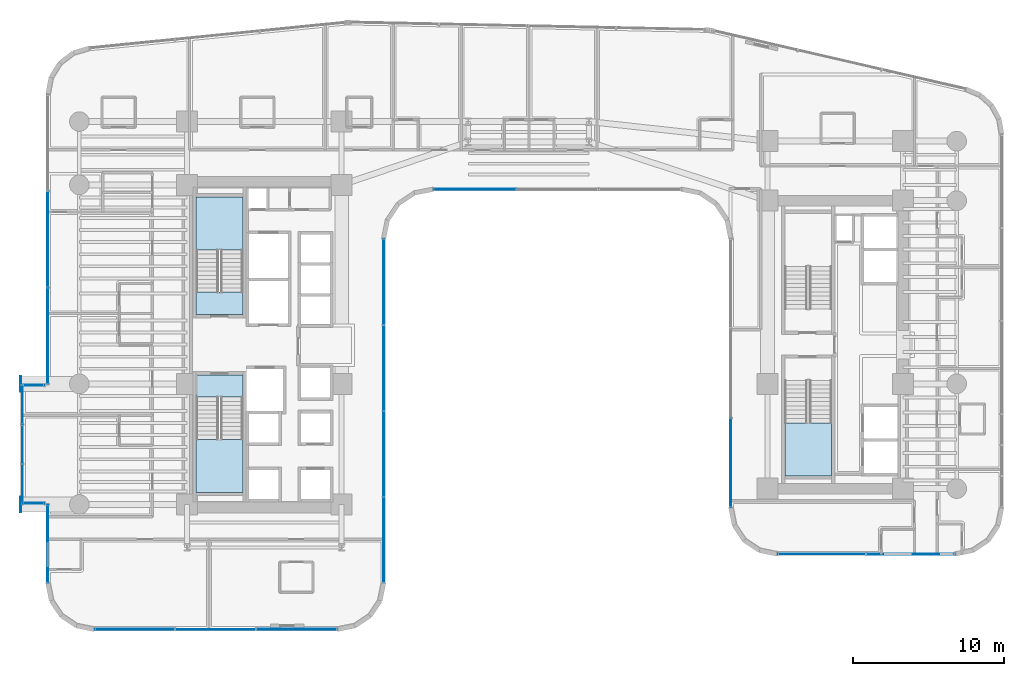
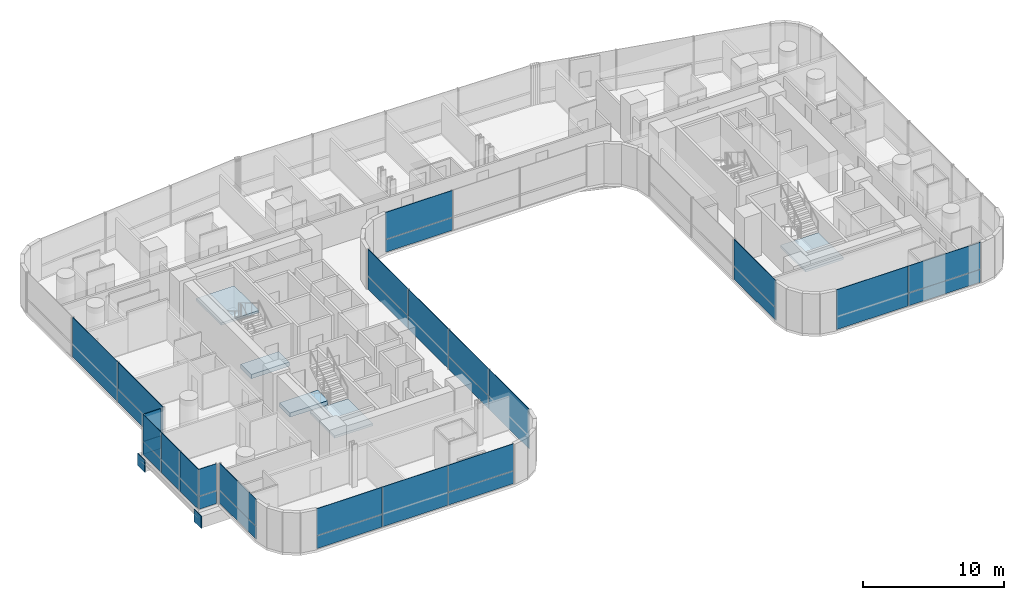
# One storey, part 28 of 42: 34 plates, 5 slabs, 13 elements without a shape of their own.
"""IFC4 building model written with IfcOpenShell, lengths in metres."""

import ifcopenshell
import ifcopenshell.guid

model = None  # the IFC model being written
_history = None  # IfcOwnerHistory: only IFC2X3 demands one
_inside = {}  # id of a spatial element -> (the spatial element, [elements in it])
_under = {}  # id of a project, library or spatial element -> (it, [spatial elements below it])
_declared = {}  # id of a project -> (the project, [libraries it declares])
_typed = {}  # id of a type object -> (the type object, [elements of that type])
_made_of = {}  # id of a material, layer set ... -> (it, [elements and type objects made of it])


def new_model(schema):
    """Start an empty IFC model of exactly this schema.

    Asked for "IFC4X3", IfcOpenShell would pick the latest addendum, in which some entities
    have other attributes; the version numbers below select the first issue.
    IFC2X3 requires an IfcOwnerHistory on every rooted entity: one is made here for all.
    """
    global model, _history
    if schema == "IFC4X3":
        model = ifcopenshell.file(schema_version=(4, 3, 0, 0))
    else:
        model = ifcopenshell.file(schema=schema)
    _inside.clear()
    _under.clear()
    _declared.clear()
    _typed.clear()
    _made_of.clear()
    _history = None
    if model.schema == "IFC2X3":
        org = make("IfcOrganization", Name="unknown")
        user = make(
            "IfcPersonAndOrganization",
            ThePerson=make("IfcPerson", FamilyName="unknown"),
            TheOrganization=org,
        )
        app = make(
            "IfcApplication",
            ApplicationDeveloper=org,
            Version="unknown",
            ApplicationFullName="unknown",
            ApplicationIdentifier="unknown",
        )
        _history = make(
            "IfcOwnerHistory",
            OwningUser=user,
            OwningApplication=app,
            ChangeAction="ADDED",
            CreationDate=0,
        )
    return model


def make(cls, **values):
    """One entity of the class cls with the attributes given. An attribute that is None is left unset."""
    return model.create_entity(
        cls, **{name: value for name, value in values.items() if value is not None}
    )


def rooted(cls, **values):
    """An entity with a GlobalId (a new one), such as an element, a storey or a relation."""
    return make(cls, GlobalId=ifcopenshell.guid.new(), OwnerHistory=_history, **values)


def si_unit(unit_type, name, prefix=None):
    """IfcSIUnit, for example si_unit("LENGTHUNIT", "METRE", prefix="MILLI")."""
    return make("IfcSIUnit", UnitType=unit_type, Prefix=prefix, Name=name)


def assignment(units):
    """IfcUnitAssignment: the units of a project."""
    return None if units is None else make("IfcUnitAssignment", Units=units)


def point(xyz):
    """IfcCartesianPoint."""
    return None if xyz is None else make("IfcCartesianPoint", Coordinates=xyz)


def direction(xyz):
    """IfcDirection."""
    return None if xyz is None else make("IfcDirection", DirectionRatios=xyz)


def frame(location, z_axis=None, x_axis=None):
    """IfcAxis2Placement3D, a coordinate frame: its origin and axes. An axis left out is left unset."""
    return make(
        "IfcAxis2Placement3D",
        Location=point(location),
        Axis=direction(z_axis),
        RefDirection=direction(x_axis),
    )


def frame_2d(location, x_axis=None):
    """IfcAxis2Placement2D, a coordinate frame in the plane: its origin and x axis."""
    return make(
        "IfcAxis2Placement2D", Location=point(location), RefDirection=direction(x_axis)
    )


def origin():
    """The frame at (0, 0, 0) with its axes left unset."""
    return frame((0.0, 0.0, 0.0))


def origin_2d():
    """The frame at (0, 0) in the plane with its x axis left unset."""
    return frame_2d((0.0, 0.0))


def place(relative_to, where):
    """IfcLocalPlacement: puts the frame where relative to a parent placement (None: the world)."""
    return make(
        "IfcLocalPlacement", PlacementRelTo=relative_to, RelativePlacement=where
    )


def context(
    kind, dimensions, precision=None, world=None, true_north=None, identifier=None
):
    """IfcGeometricRepresentationContext, for example the 3D "Model" context."""
    return make(
        "IfcGeometricRepresentationContext",
        ContextIdentifier=identifier,
        ContextType=kind,
        CoordinateSpaceDimension=dimensions,
        Precision=precision,
        WorldCoordinateSystem=world,
        TrueNorth=true_north,
    )


def subcontext(parent, identifier, kind, view, scale=None):
    """IfcGeometricRepresentationSubContext, for example "Body" below "Model"."""
    return make(
        "IfcGeometricRepresentationSubContext",
        ContextIdentifier=identifier,
        ContextType=kind,
        ParentContext=parent,
        TargetScale=scale,
        TargetView=view,
    )


def project(units=None, contexts=None):
    """IfcProject with its units and contexts."""
    return rooted(
        "IfcProject",
        Name="project",
        RepresentationContexts=contexts,
        UnitsInContext=assignment(units),
    )


def spatial(cls, under=None, at=None, **own):
    """A site, building, storey or space (cls), placed at a placement, below another one or the project."""
    s = rooted(cls, ObjectPlacement=at, **own)
    if under is not None:
        _under.setdefault(under.id(), (under, []))[1].append(s)
    return s


def polyline(points):
    """IfcPolyline through the points."""
    return make("IfcPolyline", Points=[point(p) for p in points])


def profile(cls, at=None, kind="AREA", **sizes):
    """A parametric profile (cls). Its sizes go by their IFC names, for example OverallWidth=200.0."""
    return make(cls, ProfileType=kind, Position=at, **sizes)


def rectangle(**sizes):
    """IfcRectangleProfileDef."""
    return profile("IfcRectangleProfileDef", **sizes)


def outline(outer, holes=None, kind="AREA"):
    """IfcArbitraryClosedProfileDef: a profile drawn as a closed curve; with holes, ...WithVoids."""
    if holes is None:
        return make("IfcArbitraryClosedProfileDef", ProfileType=kind, OuterCurve=outer)
    return make(
        "IfcArbitraryProfileDefWithVoids",
        ProfileType=kind,
        OuterCurve=outer,
        InnerCurves=holes,
    )


def extrude(swept, where, along, depth):
    """IfcExtrudedAreaSolid: the profile swept, set in the frame where, extruded along a direction by depth."""
    return make(
        "IfcExtrudedAreaSolid",
        SweptArea=swept,
        Position=where,
        ExtrudedDirection=direction(along),
        Depth=depth,
    )


def shape(context_of_items, identifier, shape_type, items):
    """IfcShapeRepresentation: the items that make up one representation, for example the "Body"."""
    return make(
        "IfcShapeRepresentation",
        ContextOfItems=context_of_items,
        RepresentationIdentifier=identifier,
        RepresentationType=shape_type,
        Items=items,
    )


def source(mapping_origin, context_of_items, identifier, shape_type, items):
    """IfcRepresentationMap: a shape defined once, which mapped items show again and again."""
    return make(
        "IfcRepresentationMap",
        MappingOrigin=mapping_origin,
        MappedRepresentation=shape(context_of_items, identifier, shape_type, items),
    )


def transform(
    local_origin,
    x_axis=None,
    y_axis=None,
    z_axis=None,
    scale=None,
    scale2=None,
    scale3=None,
    uniform=True,
):
    """IfcCartesianTransformationOperator3D, or its non-uniform kind. x_axis, y_axis, z_axis: its Axis1, 2, 3."""
    if uniform:
        return make(
            "IfcCartesianTransformationOperator3D",
            Axis1=direction(x_axis),
            Axis2=direction(y_axis),
            LocalOrigin=point(local_origin),
            Scale=scale,
            Axis3=direction(z_axis),
        )
    return make(
        "IfcCartesianTransformationOperator3DnonUniform",
        Axis1=direction(x_axis),
        Axis2=direction(y_axis),
        LocalOrigin=point(local_origin),
        Scale=scale,
        Axis3=direction(z_axis),
        Scale2=scale2,
        Scale3=scale3,
    )


def mapped(mapping_source, mapping_target):
    """IfcMappedItem: shows the shape of a source again, moved by a transform."""
    return make(
        "IfcMappedItem", MappingSource=mapping_source, MappingTarget=mapping_target
    )


def material(Name=None, Category=None):
    """IfcMaterial."""
    return make("IfcMaterial", Name=Name, Category=Category)


def layer(
    of_material, thickness, ventilated=None, Name=None, Category=None, Priority=None
):
    """IfcMaterialLayer: one layer of a wall or slab, of a material (None: an air gap)."""
    return make(
        "IfcMaterialLayer",
        Material=of_material,
        LayerThickness=thickness,
        IsVentilated=ventilated,
        Name=Name,
        Category=Category,
        Priority=Priority,
    )


def layer_set(layers, Name=None):
    """IfcMaterialLayerSet."""
    return make("IfcMaterialLayerSet", MaterialLayers=layers, LayerSetName=Name)


def made_of(thing, what):
    """Note that an element or type object is made of a material, layer set ...; save() writes the relation."""
    if what is not None:
        _made_of.setdefault(what.id(), (what, []))[1].append(thing)
    return thing


def type_object(cls, material=None, **own):
    """A type object (cls), such as IfcWallType, which elements share."""
    return made_of(rooted(cls, **own), material)


def element(
    cls,
    number,
    at=None,
    inside=None,
    cuts=None,
    type_object=None,
    material=None,
    context=None,
    identifier="Body",
    shape_type=None,
    held_by="IfcProductDefinitionShape",
    body=None,
    shapes=None,
    **own,
):
    """One element of the class cls, such as IfcWall. Its Tag is "e" and its number.

    at: its placement. inside: the storey or other place that contains it. cuts: it is an
    opening in that element (IfcRelVoidsElement). A single representation is given by context,
    identifier, shape_type and body (its items); several are given by shapes. held_by: the class
    of the entity that holds the representations. save() writes the other relations.
    """
    e = rooted(cls, Tag="e%d" % number, ObjectPlacement=at, **own)
    if body is not None:
        shapes = [shape(context, identifier, shape_type, body)]
    if shapes is not None:
        e.Representation = make(held_by, Representations=shapes)
    if inside is not None:
        _inside.setdefault(inside.id(), (inside, []))[1].append(e)
    if cuts is not None:
        rooted(
            "IfcRelVoidsElement", RelatingBuildingElement=cuts, RelatedOpeningElement=e
        )
    if type_object is not None:
        _typed.setdefault(type_object.id(), (type_object, []))[1].append(e)
    return made_of(e, material)


def aggregate(whole, parts):
    """IfcRelAggregates: a whole, such as a stair, and the parts it consists of."""
    return rooted("IfcRelAggregates", RelatingObject=whole, RelatedObjects=parts)


def save(model, path):
    """Write the relations noted so far, then the file.

    IfcRelAggregates (storeys below a building ...), IfcRelContainedInSpatialStructure (elements
    in a storey), IfcRelDefinesByType, IfcRelAssociatesMaterial and IfcRelDeclares: one each for
    every whole, place, type object, material and project.
    """
    for whole, parts in _under.values():
        aggregate(whole, parts)
    for where, things in _inside.values():
        rooted(
            "IfcRelContainedInSpatialStructure",
            RelatedElements=things,
            RelatingStructure=where,
        )
    for kind, things in _typed.values():
        rooted("IfcRelDefinesByType", RelatedObjects=things, RelatingType=kind)
    for what, things in _made_of.values():
        rooted("IfcRelAssociatesMaterial", RelatedObjects=things, RelatingMaterial=what)
    for by, libraries in _declared.values():
        rooted("IfcRelDeclares", RelatingContext=by, RelatedDefinitions=libraries)
    model.write(path)


model = new_model("IFC4")

# Units and contexts
model_context = context("Model", 3, precision=1e-05, world=origin(), true_north=direction((0.0, 1.0)))
body_context = subcontext(model_context, "Body", "Model", "MODEL_VIEW")
ifc_project = project(units=[si_unit("LENGTHUNIT", "METRE"), si_unit("AREAUNIT", "SQUARE_METRE"), si_unit("VOLUMEUNIT", "CUBIC_METRE"), si_unit("PLANEANGLEUNIT", "RADIAN"), si_unit("MASSUNIT", "GRAM", prefix="KILO")], contexts=[model_context])

# Site, building, storey
site_placement = place(None, origin())
site = spatial("IfcSite", under=ifc_project, at=site_placement, CompositionType="ELEMENT")
building_placement = place(site_placement, origin())
building = spatial("IfcBuilding", under=site, at=building_placement, Name="Valdorenza Pilgrim Sanctuary Tower", CompositionType="ELEMENT")
storey_placement = place(building_placement, frame((0.0, 0.0, 29.699951171875)))
storey = spatial("IfcBuildingStorey", under=building, at=storey_placement, Name="L06", CompositionType="ELEMENT", Elevation=29.699951171875)

# Stair, slab
ifc_material_1 = material(Name="Concrete C40/50", Category="concrete")
stair_type = type_object("IfcStairType", Name="STR-DOG-CORE", PredefinedType="HALF_TURN_STAIR", material=ifc_material_1)
stair_1_placement = place(storey_placement, origin())
stair_1 = element("IfcStair", 1, at=stair_1_placement, inside=storey, type_object=stair_type, Name="L06 ST-A1", PredefinedType="HALF_TURN_STAIR")
ifc_layer_1 = layer(ifc_material_1, 0.199951171875, Name="Concrete C40/50")
ifc_layer_set_1 = layer_set([ifc_layer_1], Name="Concrete C40/50")
slab_type_1 = type_object("IfcSlabType", Name="SLAB-STL-200", PredefinedType="LANDING", material=ifc_layer_set_1)
slab_1_placement = place(storey_placement, frame((0.0, 0.0, 1.650146484375)))
slab_1 = element("IfcSlab", 2, at=slab_1_placement, type_object=slab_type_1, Name="ST-A1 landing 1", PredefinedType="LANDING", context=body_context, shape_type="SweptSolid", body=[
    extrude(outline(polyline([(-18.93994140625, 6.280029296875), (-18.93994140625, 9.800048828125), (-22.050048828125, 9.800048828125), (-22.050048828125, 6.280029296875), (-18.93994140625, 6.280029296875)])), origin(), (0.0, 0.0, 1.0), 0.199951171875),
])
aggregate(stair_1, [slab_1])

stair_2_placement = place(storey_placement, origin())
stair_2 = element("IfcStair", 3, at=stair_2_placement, inside=storey, type_object=stair_type, Name="L06 ST-A2", PredefinedType="HALF_TURN_STAIR")
slab_2_placement = place(storey_placement, frame((0.0, 0.0, 1.650146484375)))
slab_2 = element("IfcSlab", 4, at=slab_2_placement, type_object=slab_type_1, Name="ST-A2 landing 1", PredefinedType="LANDING", context=body_context, shape_type="SweptSolid", body=[
    extrude(outline(polyline([(-22.050048828125, -6.280029296875), (-22.050048828125, -9.800048828125), (-18.93994140625, -9.800048828125), (-18.93994140625, -6.280029296875), (-22.050048828125, -6.280029296875)])), origin(), (0.0, 0.0, 1.0), 0.199951171875),
])
aggregate(stair_2, [slab_2])

stair_3_placement = place(storey_placement, origin())
stair_3 = element("IfcStair", 5, at=stair_3_placement, inside=storey, type_object=stair_type, Name="L06 ST-B2", PredefinedType="HALF_TURN_STAIR")
slab_3_placement = place(storey_placement, frame((0.0, 0.0, 1.650146484375)))
slab_3 = element("IfcSlab", 6, at=slab_3_placement, type_object=slab_type_1, Name="ST-B2 landing 1", PredefinedType="LANDING", context=body_context, shape_type="SweptSolid", body=[
    extrude(outline(polyline([(17.0, -5.179931640625), (17.0, -8.699951171875), (20.110107421875, -8.699951171875), (20.110107421875, -5.179931640625), (17.0, -5.179931640625)])), origin(), (0.0, 0.0, 1.0), 0.199951171875),
])
aggregate(stair_3, [slab_3])

# Slabs
ifc_material_2 = material(Name="Concrete C50/60", Category="concrete")
ifc_layer_2 = layer(ifc_material_2, 0.39990234375, Name="Concrete C50/60")
ifc_layer_set_2 = layer_set([ifc_layer_2], Name="Concrete C50/60")
slab_type_2 = type_object("IfcSlabType", Name="SLAB-TRF-400", PredefinedType="FLOOR", material=ifc_layer_set_2)
slab_4_placement = place(storey_placement, frame((0.0, 0.0, -0.35986328125)))
element("IfcSlab", 7, at=slab_4_placement, inside=storey, type_object=slab_type_2, Name="L06 ST-A1 Structural Stair Landing Bearing Slab", PredefinedType="FLOOR", context=body_context, shape_type="SweptSolid", body=[
    extrude(outline(polyline([(-22.050048828125, 2.0), (-18.93994140625, 2.0), (-18.93994140625, 3.485107421875), (-22.050048828125, 3.485107421875), (-22.050048828125, 2.0)])), origin(), (0.0, 0.0, 1.0), 0.35986328125),
])
slab_5_placement = place(storey_placement, frame((0.0, 0.0, -0.35986328125)))
element("IfcSlab", 8, at=slab_5_placement, inside=storey, type_object=slab_type_2, Name="L06 ST-A2 Structural Stair Landing Bearing Slab", PredefinedType="FLOOR", context=body_context, shape_type="SweptSolid", body=[
    extrude(outline(polyline([(-22.050048828125, -3.485107421875), (-18.93994140625, -3.485107421875), (-18.93994140625, -2.0), (-22.050048828125, -2.0), (-22.050048828125, -3.485107421875)])), origin(), (0.0, 0.0, 1.0), 0.35986328125),
])

# Plates
ifc_material_3 = material(Name="Steel ASTM A572 Grade 42", Category="steel")
ifc_layer_3 = layer(ifc_material_3, 0.06005859375, Name="Steel ASTM A572 Grade 42")
ifc_layer_set_3 = layer_set([ifc_layer_3], Name="Steel ASTM A572 Grade 42")
plate_type_1 = type_object("IfcPlateType", Name="PLT-CAP-60", PredefinedType="SHEET", material=ifc_layer_set_3)
shared_shape_1 = source(origin(), body_context, "Body", "SweptSolid", [
    extrude(rectangle(XDim=0.06005859375, YDim=1.0400390625, at=origin_2d()), origin(), (0.0, 0.0, 1.0), 1.0400390625),
])
for number, where, z_axis, x_axis, name in (
    (9, (-33.679931640625, -2.60009765625, -1.260009765625), (0.0, 0.0, 1.0), (1.0, 0.0, 0.0), "L06 BOX-WA-L06 Cantilever Tip End Cap N"),
    (10, (-33.679931640625, -10.60009765625, -1.260009765625), (0.0, 0.0, 1.0), (1.0, 0.0, 0.0), "L06 BOX-WA-L06 Cantilever Tip End Cap S"),
):
    element("IfcPlate", number, at=place(storey_placement, frame(where, z_axis=z_axis, x_axis=x_axis)), inside=storey, type_object=plate_type_1, Name=name, PredefinedType="SHEET", context=body_context, shape_type="MappedRepresentation", body=[
        mapped(shared_shape_1, transform((0.0, 0.0, 0.0), x_axis=(1.0, 0.0, 0.0), y_axis=(0.0, 1.0, 0.0), z_axis=(0.0, 0.0, 1.0), scale=1.0)),
    ])

# Curtain wall, plates
ifc_material_4 = material(Name="Curtain-wall IGU glazing", Category="glass")
curtain_wall_type_1 = type_object("IfcCurtainWallType", Name="CW-SYS-02", PredefinedType="NOTDEFINED", material=ifc_material_4)
curtain_wall_1_placement = place(storey_placement, origin())
curtain_wall_1 = element("IfcCurtainWall", 11, at=curtain_wall_1_placement, inside=storey, type_object=curtain_wall_type_1, Name="L06 Curtain Wall CW-L06-1-1S1", PredefinedType="NOTDEFINED")
ifc_material_5 = material(Name="Honed travertine limestone", Category="masonry")
ifc_layer_4 = layer(ifc_material_5, 0.050048828125, Name="Honed travertine limestone")
ifc_layer_set_4 = layer_set([ifc_layer_4], Name="Honed travertine limestone")
plate_type_2 = type_object("IfcPlateType", Name="CW-SPN-TRV", PredefinedType="USERDEFINED", material=ifc_layer_set_4)
shared_shape_2 = source(origin(), body_context, "Body", "SweptSolid", [
    extrude(rectangle(XDim=5.169189453125, YDim=0.06005859375, at=origin_2d()), origin(), (0.0, 0.0, 1.0), 1.10009765625),
])
plate_1_placement = place(storey_placement, frame((-31.889892578125, -13.194580078125, 0.010009765625), z_axis=(0.0, 0.0, 1.0), x_axis=(0.0, 1.0, 0.0)))
plate_1 = element("IfcPlate", 12, at=plate_1_placement, type_object=plate_type_2, Name="CW-L06-1-1S1 Travertine Spandrel 1", ObjectType="SPANDREL", PredefinedType="USERDEFINED", context=body_context, shape_type="MappedRepresentation", body=[
    mapped(shared_shape_2, transform((0.0, 0.0, 0.0), x_axis=(1.0, 0.0, 0.0), y_axis=(0.0, 1.0, 0.0), z_axis=(0.0, 0.0, 1.0), scale=1.0)),
])
ifc_material_6 = material(Name="Ceramic-fritted low-E IGU glazing", Category="glass")
ifc_layer_5 = layer(ifc_material_6, 0.035888671875, Name="Ceramic-fritted low-E IGU glazing")
ifc_layer_set_5 = layer_set([ifc_layer_5], Name="Ceramic-fritted low-E IGU glazing")
plate_type_3 = type_object("IfcPlateType", Name="CW-GLZ-IGU", PredefinedType="USERDEFINED", material=ifc_layer_set_5)
shared_shape_3 = source(origin(), body_context, "Body", "SweptSolid", [
    extrude(rectangle(XDim=5.169189453125, YDim=0.050048828125, at=origin_2d()), origin(), (0.0, 0.0, 1.0), 2.320068359375),
])
plate_2_placement = place(storey_placement, frame((-31.889892578125, -13.194580078125, 1.1298828125), z_axis=(0.0, 0.0, 1.0), x_axis=(0.0, 1.0, 0.0)))
plate_2 = element("IfcPlate", 13, at=plate_2_placement, type_object=plate_type_3, Name="CW-L06-1-1S1 Facade Panel 1", ObjectType="GLAZING", PredefinedType="USERDEFINED", context=body_context, shape_type="MappedRepresentation", body=[
    mapped(shared_shape_3, transform((0.0, 0.0, 0.0), x_axis=(1.0, 0.0, 0.0), y_axis=(0.0, 1.0, 0.0), z_axis=(0.0, 0.0, 1.0), scale=1.0)),
])
aggregate(curtain_wall_1, [plate_1, plate_2])

curtain_wall_2_placement = place(storey_placement, origin())
curtain_wall_2 = element("IfcCurtainWall", 14, at=curtain_wall_2_placement, inside=storey, type_object=curtain_wall_type_1, Name="L06 Curtain Wall CW-L06-1-1S2", PredefinedType="NOTDEFINED")
shared_shape_4 = source(origin(), body_context, "Body", "SweptSolid", [
    extrude(rectangle(XDim=6.3779296875, YDim=0.06005859375, at=origin_2d()), origin(), (0.0, 0.0, 1.0), 1.10009765625),
])
plate_3_placement = place(storey_placement, frame((-31.889892578125, 0.59912109375, 0.010009765625), z_axis=(0.0, 0.0, 1.0), x_axis=(0.0, 1.0, 0.0)))
plate_3 = element("IfcPlate", 15, at=plate_3_placement, type_object=plate_type_2, Name="CW-L06-1-1S2 Travertine Spandrel 1", ObjectType="SPANDREL", PredefinedType="USERDEFINED", context=body_context, shape_type="MappedRepresentation", body=[
    mapped(shared_shape_4, transform((0.0, 0.0, 0.0), x_axis=(1.0, 0.0, 0.0), y_axis=(0.0, 1.0, 0.0), z_axis=(0.0, 0.0, 1.0), scale=1.0)),
])
shared_shape_5 = source(origin(), body_context, "Body", "SweptSolid", [
    extrude(rectangle(XDim=6.3779296875, YDim=0.050048828125, at=origin_2d()), origin(), (0.0, 0.0, 1.0), 2.320068359375),
])
plate_4_placement = place(storey_placement, frame((-31.889892578125, 0.59912109375, 1.1298828125), z_axis=(0.0, 0.0, 1.0), x_axis=(0.0, 1.0, 0.0)))
plate_4 = element("IfcPlate", 16, at=plate_4_placement, type_object=plate_type_3, Name="CW-L06-1-1S2 Facade Panel 1", ObjectType="GLAZING", PredefinedType="USERDEFINED", context=body_context, shape_type="MappedRepresentation", body=[
    mapped(shared_shape_5, transform((0.0, 0.0, 0.0), x_axis=(1.0, 0.0, 0.0), y_axis=(0.0, 1.0, 0.0), z_axis=(0.0, 0.0, 1.0), scale=1.0)),
])
shared_shape_6 = source(origin(), body_context, "Body", "SweptSolid", [
    extrude(rectangle(XDim=6.3779296875, YDim=0.050048828125, at=origin_2d()), origin(), (0.0, 0.0, 1.0), 3.43994140625),
])
plate_5_placement = place(storey_placement, frame((-31.889892578125, 6.9970703125, 0.010009765625), z_axis=(0.0, 0.0, 1.0), x_axis=(0.0, 1.0, 0.0)))
plate_5 = element("IfcPlate", 17, at=plate_5_placement, type_object=plate_type_3, Name="CW-L06-1-1S2 Full-Height Facade Panel 2", ObjectType="GLAZING", PredefinedType="USERDEFINED", context=body_context, shape_type="MappedRepresentation", body=[
    mapped(shared_shape_6, transform((0.0, 0.0, 0.0), x_axis=(1.0, 0.0, 0.0), y_axis=(0.0, 1.0, 0.0), z_axis=(0.0, 0.0, 1.0), scale=1.0)),
])
aggregate(curtain_wall_2, [plate_3, plate_4, plate_5])

curtain_wall_type_2 = type_object("IfcCurtainWallType", Name="CW-SYS-03", PredefinedType="NOTDEFINED", material=ifc_material_4)
curtain_wall_3_placement = place(storey_placement, origin())
curtain_wall_3 = element("IfcCurtainWall", 18, at=curtain_wall_3_placement, inside=storey, type_object=curtain_wall_type_2, Name="L06 Curtain Wall CW-L06-1-26", PredefinedType="NOTDEFINED")
shared_shape_7 = source(origin(), body_context, "Body", "SweptSolid", [
    extrude(rectangle(XDim=5.869140625, YDim=0.06005859375, at=origin_2d()), origin(), (0.0, 0.0, 1.0), 1.10009765625),
])
plate_6_placement = place(storey_placement, frame((25.344482421875, -13.889892578125, 0.010009765625), z_axis=(0.0, 0.0, 1.0), x_axis=(-1.0, 0.0, 0.0)))
plate_6 = element("IfcPlate", 19, at=plate_6_placement, type_object=plate_type_2, Name="CW-L06-1-26 Travertine Spandrel 1", ObjectType="SPANDREL", PredefinedType="USERDEFINED", context=body_context, shape_type="MappedRepresentation", body=[
    mapped(shared_shape_7, transform((0.0, 0.0, 0.0), x_axis=(1.0, 0.0, 0.0), y_axis=(0.0, 1.0, 0.0), z_axis=(0.0, 0.0, 1.0), scale=1.0)),
])
shared_shape_8 = source(origin(), body_context, "Body", "SweptSolid", [
    extrude(rectangle(XDim=5.869140625, YDim=0.050048828125, at=origin_2d()), origin(), (0.0, 0.0, 1.0), 2.320068359375),
])
plate_7_placement = place(storey_placement, frame((25.344482421875, -13.889892578125, 1.1298828125), z_axis=(0.0, 0.0, 1.0), x_axis=(-1.0, 0.0, 0.0)))
plate_7 = element("IfcPlate", 20, at=plate_7_placement, type_object=plate_type_3, Name="CW-L06-1-26 Facade Panel 1", ObjectType="GLAZING", PredefinedType="USERDEFINED", context=body_context, shape_type="MappedRepresentation", body=[
    mapped(shared_shape_8, transform((0.0, 0.0, 0.0), x_axis=(1.0, 0.0, 0.0), y_axis=(0.0, 1.0, 0.0), z_axis=(0.0, 0.0, 1.0), scale=1.0)),
])
shared_shape_9 = source(origin(), body_context, "Body", "SweptSolid", [
    extrude(rectangle(XDim=5.869140625, YDim=0.050048828125, at=origin_2d()), origin(), (0.0, 0.0, 1.0), 3.43994140625),
])
plate_8_placement = place(storey_placement, frame((19.455322265625, -13.889892578125, 0.010009765625), z_axis=(0.0, 0.0, 1.0), x_axis=(-1.0, 0.0, 0.0)))
plate_8 = element("IfcPlate", 21, at=plate_8_placement, type_object=plate_type_3, Name="CW-L06-1-26 Full-Height Facade Panel 2", ObjectType="GLAZING", PredefinedType="USERDEFINED", context=body_context, shape_type="MappedRepresentation", body=[
    mapped(shared_shape_9, transform((0.0, 0.0, 0.0), x_axis=(1.0, 0.0, 0.0), y_axis=(0.0, 1.0, 0.0), z_axis=(0.0, 0.0, 1.0), scale=1.0)),
])
aggregate(curtain_wall_3, [plate_6, plate_7, plate_8])

curtain_wall_4_placement = place(storey_placement, origin())
curtain_wall_4 = element("IfcCurtainWall", 22, at=curtain_wall_4_placement, inside=storey, type_object=curtain_wall_type_2, Name="L06 Curtain Wall CW-L06-1-31", PredefinedType="NOTDEFINED")
shared_shape_10 = source(origin(), body_context, "Body", "SweptSolid", [
    extrude(rectangle(XDim=5.913330078125, YDim=0.06005859375, at=origin_2d()), origin(), (0.0, 0.0, 1.0), 1.10009765625),
])
plate_9_placement = place(storey_placement, frame((13.409912109375, -7.822509765625, 0.010009765625), z_axis=(0.0, 0.0, 1.0), x_axis=(0.0, 1.0, 0.0)))
plate_9 = element("IfcPlate", 23, at=plate_9_placement, type_object=plate_type_2, Name="CW-L06-1-31 Travertine Spandrel 1", ObjectType="SPANDREL", PredefinedType="USERDEFINED", context=body_context, shape_type="MappedRepresentation", body=[
    mapped(shared_shape_10, transform((0.0, 0.0, 0.0), x_axis=(1.0, 0.0, 0.0), y_axis=(0.0, 1.0, 0.0), z_axis=(0.0, 0.0, 1.0), scale=1.0)),
])
shared_shape_11 = source(origin(), body_context, "Body", "SweptSolid", [
    extrude(rectangle(XDim=5.913330078125, YDim=0.050048828125, at=origin_2d()), origin(), (0.0, 0.0, 1.0), 2.320068359375),
])
plate_10_placement = place(storey_placement, frame((13.409912109375, -7.822509765625, 1.1298828125), z_axis=(0.0, 0.0, 1.0), x_axis=(0.0, 1.0, 0.0)))
plate_10 = element("IfcPlate", 24, at=plate_10_placement, type_object=plate_type_3, Name="CW-L06-1-31 Facade Panel 1", ObjectType="GLAZING", PredefinedType="USERDEFINED", context=body_context, shape_type="MappedRepresentation", body=[
    mapped(shared_shape_11, transform((0.0, 0.0, 0.0), x_axis=(1.0, 0.0, 0.0), y_axis=(0.0, 1.0, 0.0), z_axis=(0.0, 0.0, 1.0), scale=1.0)),
])
aggregate(curtain_wall_4, [plate_9, plate_10])

curtain_wall_5_placement = place(storey_placement, origin())
curtain_wall_5 = element("IfcCurtainWall", 25, at=curtain_wall_5_placement, inside=storey, type_object=curtain_wall_type_1, Name="L06 Curtain Wall CW-L06-1-36", PredefinedType="NOTDEFINED")
shared_shape_12 = source(origin(), body_context, "Body", "SweptSolid", [
    extrude(rectangle(XDim=5.453857421875, YDim=0.06005859375, at=origin_2d()), origin(), (0.0, 0.0, 1.0), 1.10009765625),
])
plate_11_placement = place(storey_placement, frame((-3.573974609375, 10.31005859375, 0.010009765625), z_axis=(0.0, 0.0, 1.0), x_axis=(-1.0, 0.0, 0.0)))
plate_11 = element("IfcPlate", 26, at=plate_11_placement, type_object=plate_type_2, Name="CW-L06-1-36 Travertine Spandrel 3", ObjectType="SPANDREL", PredefinedType="USERDEFINED", context=body_context, shape_type="MappedRepresentation", body=[
    mapped(shared_shape_12, transform((0.0, 0.0, 0.0), x_axis=(1.0, 0.0, 0.0), y_axis=(0.0, 1.0, 0.0), z_axis=(0.0, 0.0, 1.0), scale=1.0)),
])
shared_shape_13 = source(origin(), body_context, "Body", "SweptSolid", [
    extrude(rectangle(XDim=5.453857421875, YDim=0.050048828125, at=origin_2d()), origin(), (0.0, 0.0, 1.0), 2.320068359375),
])
plate_12_placement = place(storey_placement, frame((-3.573974609375, 10.31005859375, 1.1298828125), z_axis=(0.0, 0.0, 1.0), x_axis=(-1.0, 0.0, 0.0)))
plate_12 = element("IfcPlate", 27, at=plate_12_placement, type_object=plate_type_3, Name="CW-L06-1-36 Facade Panel 3", ObjectType="GLAZING", PredefinedType="USERDEFINED", context=body_context, shape_type="MappedRepresentation", body=[
    mapped(shared_shape_13, transform((0.0, 0.0, 0.0), x_axis=(1.0, 0.0, 0.0), y_axis=(0.0, 1.0, 0.0), z_axis=(0.0, 0.0, 1.0), scale=1.0)),
])
aggregate(curtain_wall_5, [plate_11, plate_12])

curtain_wall_6_placement = place(storey_placement, origin())
curtain_wall_6 = element("IfcCurtainWall", 28, at=curtain_wall_6_placement, inside=storey, type_object=curtain_wall_type_1, Name="L06 Curtain Wall CW-L06-1-41", PredefinedType="NOTDEFINED")
shared_shape_14 = source(origin(), body_context, "Body", "SweptSolid", [
    extrude(rectangle(XDim=5.679931640625, YDim=0.06005859375, at=origin_2d()), origin(), (0.0, 0.0, 1.0), 1.10009765625),
])
plate_13_placement = place(storey_placement, frame((-9.610107421875, 4.160888671875, 0.010009765625), z_axis=(0.0, 0.0, 1.0), x_axis=(0.0, -1.0, 0.0)))
plate_13 = element("IfcPlate", 29, at=plate_13_placement, type_object=plate_type_2, Name="CW-L06-1-41 Travertine Spandrel 1", ObjectType="SPANDREL", PredefinedType="USERDEFINED", context=body_context, shape_type="MappedRepresentation", body=[
    mapped(shared_shape_14, transform((0.0, 0.0, 0.0), x_axis=(1.0, 0.0, 0.0), y_axis=(0.0, 1.0, 0.0), z_axis=(0.0, 0.0, 1.0), scale=1.0)),
])
plate_14_placement = place(storey_placement, frame((-9.610107421875, -7.2392578125, 0.010009765625), z_axis=(0.0, 0.0, 1.0), x_axis=(0.0, -1.0, 0.0)))
plate_14 = element("IfcPlate", 30, at=plate_14_placement, type_object=plate_type_2, Name="CW-L06-1-41 Travertine Spandrel 3", ObjectType="SPANDREL", PredefinedType="USERDEFINED", context=body_context, shape_type="MappedRepresentation", body=[
    mapped(shared_shape_14, transform((0.0, 0.0, 0.0), x_axis=(1.0, 0.0, 0.0), y_axis=(0.0, 1.0, 0.0), z_axis=(0.0, 0.0, 1.0), scale=1.0)),
])
shared_shape_15 = source(origin(), body_context, "Body", "SweptSolid", [
    extrude(rectangle(XDim=5.679931640625, YDim=0.050048828125, at=origin_2d()), origin(), (0.0, 0.0, 1.0), 2.320068359375),
])
plate_15_placement = place(storey_placement, frame((-9.610107421875, 4.160888671875, 1.1298828125), z_axis=(0.0, 0.0, 1.0), x_axis=(0.0, -1.0, 0.0)))
plate_15 = element("IfcPlate", 31, at=plate_15_placement, type_object=plate_type_3, Name="CW-L06-1-41 Facade Panel 1", ObjectType="GLAZING", PredefinedType="USERDEFINED", context=body_context, shape_type="MappedRepresentation", body=[
    mapped(shared_shape_15, transform((0.0, 0.0, 0.0), x_axis=(1.0, 0.0, 0.0), y_axis=(0.0, 1.0, 0.0), z_axis=(0.0, 0.0, 1.0), scale=1.0)),
])
plate_16_placement = place(storey_placement, frame((-9.610107421875, -7.2392578125, 1.1298828125), z_axis=(0.0, 0.0, 1.0), x_axis=(0.0, -1.0, 0.0)))
plate_16 = element("IfcPlate", 32, at=plate_16_placement, type_object=plate_type_3, Name="CW-L06-1-41 Facade Panel 3", ObjectType="GLAZING", PredefinedType="USERDEFINED", context=body_context, shape_type="MappedRepresentation", body=[
    mapped(shared_shape_15, transform((0.0, 0.0, 0.0), x_axis=(1.0, 0.0, 0.0), y_axis=(0.0, 1.0, 0.0), z_axis=(0.0, 0.0, 1.0), scale=1.0)),
])
shared_shape_16 = source(origin(), body_context, "Body", "SweptSolid", [
    extrude(rectangle(XDim=5.679931640625, YDim=0.050048828125, at=origin_2d()), origin(), (0.0, 0.0, 1.0), 3.43994140625),
])
plate_17_placement = place(storey_placement, frame((-9.610107421875, -1.539306640625, 0.010009765625), z_axis=(0.0, 0.0, 1.0), x_axis=(0.0, -1.0, 0.0)))
plate_17 = element("IfcPlate", 33, at=plate_17_placement, type_object=plate_type_3, Name="CW-L06-1-41 Full-Height Facade Panel 2", ObjectType="GLAZING", PredefinedType="USERDEFINED", context=body_context, shape_type="MappedRepresentation", body=[
    mapped(shared_shape_16, transform((0.0, 0.0, 0.0), x_axis=(1.0, 0.0, 0.0), y_axis=(0.0, 1.0, 0.0), z_axis=(0.0, 0.0, 1.0), scale=1.0)),
])
plate_18_placement = place(storey_placement, frame((-9.610107421875, -12.939208984375, 0.010009765625), z_axis=(0.0, 0.0, 1.0), x_axis=(0.0, -1.0, 0.0)))
plate_18 = element("IfcPlate", 34, at=plate_18_placement, type_object=plate_type_3, Name="CW-L06-1-41 Full-Height Facade Panel 4", ObjectType="GLAZING", PredefinedType="USERDEFINED", context=body_context, shape_type="MappedRepresentation", body=[
    mapped(shared_shape_16, transform((0.0, 0.0, 0.0), x_axis=(1.0, 0.0, 0.0), y_axis=(0.0, 1.0, 0.0), z_axis=(0.0, 0.0, 1.0), scale=1.0)),
])
aggregate(curtain_wall_6, [plate_13, plate_15, plate_17, plate_14, plate_16, plate_18])

curtain_wall_7_placement = place(storey_placement, origin())
curtain_wall_7 = element("IfcCurtainWall", 35, at=curtain_wall_7_placement, inside=storey, type_object=curtain_wall_type_1, Name="L06 Curtain Wall CW-L06-1-46", PredefinedType="NOTDEFINED")
shared_shape_17 = source(origin(), body_context, "Body", "SweptSolid", [
    extrude(rectangle(XDim=5.339599609375, YDim=0.06005859375, at=origin_2d()), origin(), (0.0, 0.0, 1.0), 1.10009765625),
])
plate_19_placement = place(storey_placement, frame((-15.390380859375, -18.889892578125, 0.010009765625), z_axis=(0.0, 0.0, 1.0), x_axis=(-1.0, 0.0, 0.0)))
plate_19 = element("IfcPlate", 36, at=plate_19_placement, type_object=plate_type_2, Name="CW-L06-1-46 Travertine Spandrel 1", ObjectType="SPANDREL", PredefinedType="USERDEFINED", context=body_context, shape_type="MappedRepresentation", body=[
    mapped(shared_shape_17, transform((0.0, 0.0, 0.0), x_axis=(1.0, 0.0, 0.0), y_axis=(0.0, 1.0, 0.0), z_axis=(0.0, 0.0, 1.0), scale=1.0)),
])
plate_20_placement = place(storey_placement, frame((-26.109619140625, -18.889892578125, 0.010009765625), z_axis=(0.0, 0.0, 1.0), x_axis=(-1.0, 0.0, 0.0)))
plate_20 = element("IfcPlate", 37, at=plate_20_placement, type_object=plate_type_2, Name="CW-L06-1-46 Travertine Spandrel 3", ObjectType="SPANDREL", PredefinedType="USERDEFINED", context=body_context, shape_type="MappedRepresentation", body=[
    mapped(shared_shape_17, transform((0.0, 0.0, 0.0), x_axis=(1.0, 0.0, 0.0), y_axis=(0.0, 1.0, 0.0), z_axis=(0.0, 0.0, 1.0), scale=1.0)),
])
shared_shape_18 = source(origin(), body_context, "Body", "SweptSolid", [
    extrude(rectangle(XDim=5.339599609375, YDim=0.050048828125, at=origin_2d()), origin(), (0.0, 0.0, 1.0), 2.320068359375),
])
plate_21_placement = place(storey_placement, frame((-15.390380859375, -18.889892578125, 1.1298828125), z_axis=(0.0, 0.0, 1.0), x_axis=(-1.0, 0.0, 0.0)))
plate_21 = element("IfcPlate", 38, at=plate_21_placement, type_object=plate_type_3, Name="CW-L06-1-46 Facade Panel 1", ObjectType="GLAZING", PredefinedType="USERDEFINED", context=body_context, shape_type="MappedRepresentation", body=[
    mapped(shared_shape_18, transform((0.0, 0.0, 0.0), x_axis=(1.0, 0.0, 0.0), y_axis=(0.0, 1.0, 0.0), z_axis=(0.0, 0.0, 1.0), scale=1.0)),
])
plate_22_placement = place(storey_placement, frame((-26.109619140625, -18.889892578125, 1.1298828125), z_axis=(0.0, 0.0, 1.0), x_axis=(-1.0, 0.0, 0.0)))
plate_22 = element("IfcPlate", 39, at=plate_22_placement, type_object=plate_type_3, Name="CW-L06-1-46 Facade Panel 3", ObjectType="GLAZING", PredefinedType="USERDEFINED", context=body_context, shape_type="MappedRepresentation", body=[
    mapped(shared_shape_18, transform((0.0, 0.0, 0.0), x_axis=(1.0, 0.0, 0.0), y_axis=(0.0, 1.0, 0.0), z_axis=(0.0, 0.0, 1.0), scale=1.0)),
])
shared_shape_19 = source(origin(), body_context, "Body", "SweptSolid", [
    extrude(rectangle(XDim=5.339599609375, YDim=0.050048828125, at=origin_2d()), origin(), (0.0, 0.0, 1.0), 3.43994140625),
])
plate_23_placement = place(storey_placement, frame((-20.75, -18.889892578125, 0.010009765625), z_axis=(0.0, 0.0, 1.0), x_axis=(-1.0, 0.0, 0.0)))
plate_23 = element("IfcPlate", 40, at=plate_23_placement, type_object=plate_type_3, Name="CW-L06-1-46 Full-Height Facade Panel 2", ObjectType="GLAZING", PredefinedType="USERDEFINED", context=body_context, shape_type="MappedRepresentation", body=[
    mapped(shared_shape_19, transform((0.0, 0.0, 0.0), x_axis=(1.0, 0.0, 0.0), y_axis=(0.0, 1.0, 0.0), z_axis=(0.0, 0.0, 1.0), scale=1.0)),
])
aggregate(curtain_wall_7, [plate_19, plate_21, plate_23, plate_20, plate_22])

# Curtain wall, plate
curtain_wall_8_placement = place(storey_placement, origin())
curtain_wall_8 = element("IfcCurtainWall", 41, at=curtain_wall_8_placement, inside=storey, type_object=curtain_wall_type_1, Name="L06 Curtain Wall CW-L06-BOX-WA-L06-S", PredefinedType="NOTDEFINED")
shared_shape_20 = source(origin(), body_context, "Body", "SweptSolid", [
    extrude(rectangle(XDim=1.43994140625, YDim=0.06005859375, at=origin_2d()), origin(), (0.0, 0.0, 1.0), 1.10009765625),
])
plate_24_placement = place(storey_placement, frame((-32.840087890625, -10.52001953125, 0.010009765625), z_axis=(0.0, 0.0, 1.0), x_axis=(-1.0, 0.0, 0.0)))
plate_24 = element("IfcPlate", 42, at=plate_24_placement, type_object=plate_type_2, Name="CW-L06-BOX-WA-L06-S Travertine Spandrel 1", ObjectType="SPANDREL", PredefinedType="USERDEFINED", context=body_context, shape_type="MappedRepresentation", body=[
    mapped(shared_shape_20, transform((0.0, 0.0, 0.0), x_axis=(1.0, 0.0, 0.0), y_axis=(0.0, 1.0, 0.0), z_axis=(0.0, 0.0, 1.0), scale=1.0)),
])

curtain_wall_9_placement = place(storey_placement, origin())
curtain_wall_9 = element("IfcCurtainWall", 43, at=curtain_wall_9_placement, inside=storey, type_object=curtain_wall_type_1, Name="L06 Curtain Wall CW-L06-BOX-WA-L06-N", PredefinedType="NOTDEFINED")
plate_25_placement = place(storey_placement, frame((-32.840087890625, -2.679931640625, 0.010009765625), z_axis=(0.0, 0.0, 1.0), x_axis=(1.0, 0.0, 0.0)))
plate_25 = element("IfcPlate", 44, at=plate_25_placement, type_object=plate_type_2, Name="CW-L06-BOX-WA-L06-N Travertine Spandrel 1", ObjectType="SPANDREL", PredefinedType="USERDEFINED", context=body_context, shape_type="MappedRepresentation", body=[
    mapped(shared_shape_20, transform((0.0, 0.0, 0.0), x_axis=(1.0, 0.0, 0.0), y_axis=(0.0, 1.0, 0.0), z_axis=(0.0, 0.0, 1.0), scale=1.0)),
])

# Plate
shared_shape_21 = source(origin(), body_context, "Body", "SweptSolid", [
    extrude(rectangle(XDim=1.43994140625, YDim=0.050048828125, at=origin_2d()), origin(), (0.0, 0.0, 1.0), 2.320068359375),
])
plate_26_placement = place(storey_placement, frame((-32.840087890625, -10.52001953125, 1.1298828125), z_axis=(0.0, 0.0, 1.0), x_axis=(-1.0, 0.0, 0.0)))
plate_26 = element("IfcPlate", 45, at=plate_26_placement, type_object=plate_type_3, Name="CW-L06-BOX-WA-L06-S Facade Panel 1", ObjectType="GLAZING", PredefinedType="USERDEFINED", context=body_context, shape_type="MappedRepresentation", body=[
    mapped(shared_shape_21, transform((0.0, 0.0, 0.0), x_axis=(1.0, 0.0, 0.0), y_axis=(0.0, 1.0, 0.0), z_axis=(0.0, 0.0, 1.0), scale=1.0)),
])

aggregate(curtain_wall_8, [plate_24, plate_26])

plate_27_placement = place(storey_placement, frame((-32.840087890625, -2.679931640625, 1.1298828125), z_axis=(0.0, 0.0, 1.0), x_axis=(1.0, 0.0, 0.0)))
plate_27 = element("IfcPlate", 46, at=plate_27_placement, type_object=plate_type_3, Name="CW-L06-BOX-WA-L06-N Facade Panel 1", ObjectType="GLAZING", PredefinedType="USERDEFINED", context=body_context, shape_type="MappedRepresentation", body=[
    mapped(shared_shape_21, transform((0.0, 0.0, 0.0), x_axis=(1.0, 0.0, 0.0), y_axis=(0.0, 1.0, 0.0), z_axis=(0.0, 0.0, 1.0), scale=1.0)),
])

aggregate(curtain_wall_9, [plate_25, plate_27])

# Curtain wall, plates
curtain_wall_10_placement = place(storey_placement, origin())
curtain_wall_10 = element("IfcCurtainWall", 47, at=curtain_wall_10_placement, inside=storey, type_object=curtain_wall_type_1, Name="L06 Curtain Wall CW-L06-BOX-WA-L06-F", PredefinedType="NOTDEFINED")
shared_shape_22 = source(origin(), body_context, "Body", "SweptSolid", [
    extrude(rectangle(XDim=2.59326171875, YDim=0.06005859375, at=origin_2d()), origin(), (0.0, 0.0, 1.0), 1.10009765625),
])
plate_28_placement = place(storey_placement, frame((-33.570068359375, -9.21337890625, 0.010009765625), z_axis=(0.0, 0.0, 1.0), x_axis=(0.0, 1.0, 0.0)))
plate_28 = element("IfcPlate", 48, at=plate_28_placement, type_object=plate_type_2, Name="CW-L06-BOX-WA-L06-F Travertine Spandrel 1", ObjectType="SPANDREL", PredefinedType="USERDEFINED", context=body_context, shape_type="MappedRepresentation", body=[
    mapped(shared_shape_22, transform((0.0, 0.0, 0.0), x_axis=(1.0, 0.0, 0.0), y_axis=(0.0, 1.0, 0.0), z_axis=(0.0, 0.0, 1.0), scale=1.0)),
])
plate_29_placement = place(storey_placement, frame((-33.570068359375, -3.98681640625, 0.010009765625), z_axis=(0.0, 0.0, 1.0), x_axis=(0.0, 1.0, 0.0)))
plate_29 = element("IfcPlate", 49, at=plate_29_placement, type_object=plate_type_2, Name="CW-L06-BOX-WA-L06-F Travertine Spandrel 3", ObjectType="SPANDREL", PredefinedType="USERDEFINED", context=body_context, shape_type="MappedRepresentation", body=[
    mapped(shared_shape_22, transform((0.0, 0.0, 0.0), x_axis=(1.0, 0.0, 0.0), y_axis=(0.0, 1.0, 0.0), z_axis=(0.0, 0.0, 1.0), scale=1.0)),
])
shared_shape_23 = source(origin(), body_context, "Body", "SweptSolid", [
    extrude(rectangle(XDim=2.59326171875, YDim=0.050048828125, at=origin_2d()), origin(), (0.0, 0.0, 1.0), 2.320068359375),
])
plate_30_placement = place(storey_placement, frame((-33.570068359375, -9.21337890625, 1.1298828125), z_axis=(0.0, 0.0, 1.0), x_axis=(0.0, 1.0, 0.0)))
plate_30 = element("IfcPlate", 50, at=plate_30_placement, type_object=plate_type_3, Name="CW-L06-BOX-WA-L06-F Facade Panel 1", ObjectType="GLAZING", PredefinedType="USERDEFINED", context=body_context, shape_type="MappedRepresentation", body=[
    mapped(shared_shape_23, transform((0.0, 0.0, 0.0), x_axis=(1.0, 0.0, 0.0), y_axis=(0.0, 1.0, 0.0), z_axis=(0.0, 0.0, 1.0), scale=1.0)),
])
plate_31_placement = place(storey_placement, frame((-33.570068359375, -3.98681640625, 1.1298828125), z_axis=(0.0, 0.0, 1.0), x_axis=(0.0, 1.0, 0.0)))
plate_31 = element("IfcPlate", 51, at=plate_31_placement, type_object=plate_type_3, Name="CW-L06-BOX-WA-L06-F Facade Panel 3", ObjectType="GLAZING", PredefinedType="USERDEFINED", context=body_context, shape_type="MappedRepresentation", body=[
    mapped(shared_shape_23, transform((0.0, 0.0, 0.0), x_axis=(1.0, 0.0, 0.0), y_axis=(0.0, 1.0, 0.0), z_axis=(0.0, 0.0, 1.0), scale=1.0)),
])
shared_shape_24 = source(origin(), body_context, "Body", "SweptSolid", [
    extrude(rectangle(XDim=2.59326171875, YDim=0.050048828125, at=origin_2d()), origin(), (0.0, 0.0, 1.0), 3.43994140625),
])
plate_32_placement = place(storey_placement, frame((-33.570068359375, -6.60009765625, 0.010009765625), z_axis=(0.0, 0.0, 1.0), x_axis=(0.0, 1.0, 0.0)))
plate_32 = element("IfcPlate", 52, at=plate_32_placement, type_object=plate_type_3, Name="CW-L06-BOX-WA-L06-F Full-Height Facade Panel 2", ObjectType="GLAZING", PredefinedType="USERDEFINED", context=body_context, shape_type="MappedRepresentation", body=[
    mapped(shared_shape_24, transform((0.0, 0.0, 0.0), x_axis=(1.0, 0.0, 0.0), y_axis=(0.0, 1.0, 0.0), z_axis=(0.0, 0.0, 1.0), scale=1.0)),
])
aggregate(curtain_wall_10, [plate_28, plate_30, plate_32, plate_29, plate_31])

save(model, "model.ifc")
